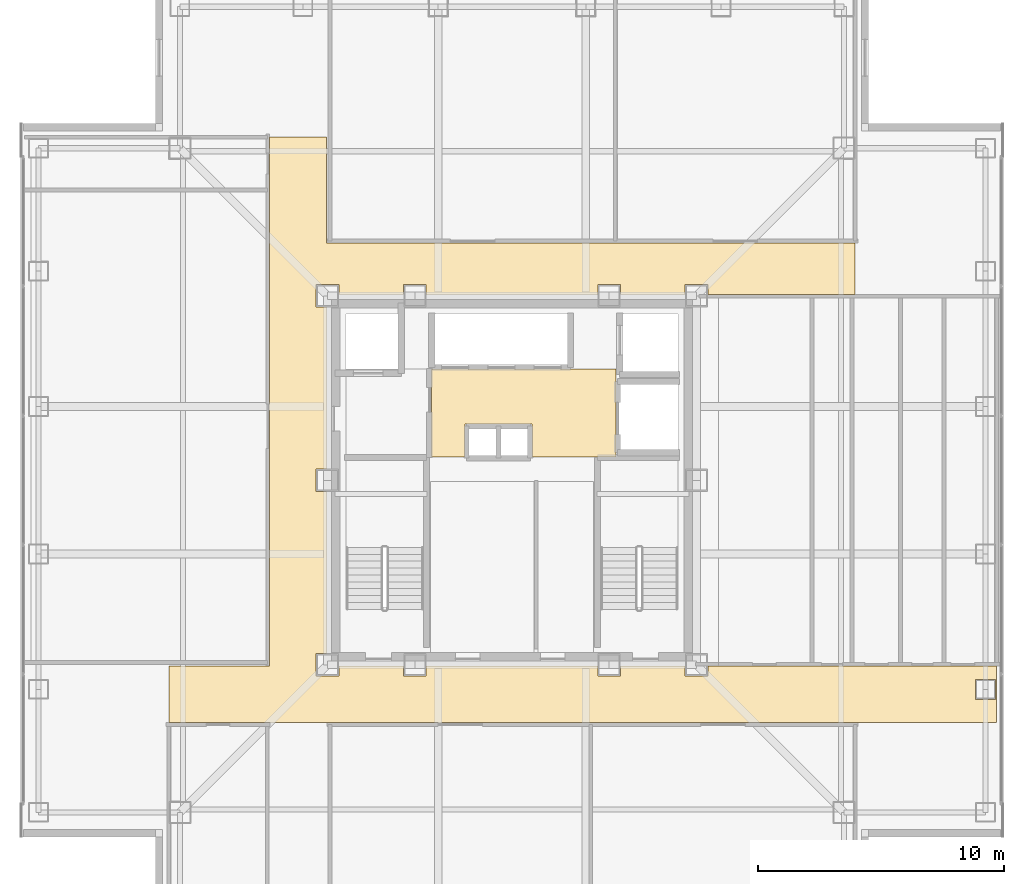
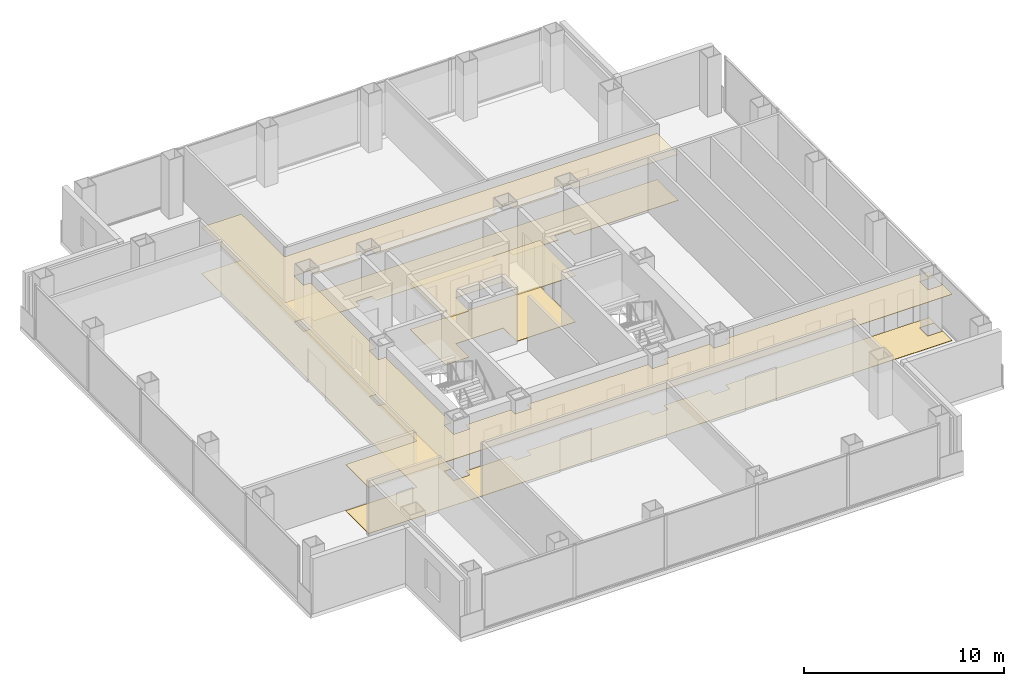
# One storey, part 16 of 18: 4 coverings.
"""IFC4 building model written with IfcOpenShell, lengths in metres."""

from ifc_helpers import new_model, si_unit, direction, frame, origin, place, context, subcontext, project, spatial, polyline, outline, extrude, material, layer, layer_set, type_object, element, save


model = new_model("IFC4")

# Units and contexts
model_context = context("Model", 3, precision=1e-05, world=origin(), true_north=direction((0.0, 1.0)))
body_context = subcontext(model_context, "Body", "Model", "MODEL_VIEW")
ifc_project = project(units=[si_unit("LENGTHUNIT", "METRE"), si_unit("AREAUNIT", "SQUARE_METRE"), si_unit("VOLUMEUNIT", "CUBIC_METRE"), si_unit("PLANEANGLEUNIT", "RADIAN"), si_unit("MASSUNIT", "GRAM", prefix="KILO")], contexts=[model_context])

# Site, building, storey
site_placement = place(None, origin())
site = spatial("IfcSite", under=ifc_project, at=site_placement, CompositionType="ELEMENT")
building_placement = place(site_placement, origin())
building = spatial("IfcBuilding", under=site, at=building_placement, Name="Trevonay Congress Spire", CompositionType="ELEMENT")
storey_placement = place(building_placement, frame((0.0, 0.0, 198.60009765625)))
storey = spatial("IfcBuildingStorey", under=building, at=storey_placement, Name="L51", CompositionType="ELEMENT", Elevation=198.60009765625)

# Coverings
ifc_material_1 = material(Name="Acoustic Mineral Fibre Board", Category="gypsum")
ifc_layer_1 = layer(ifc_material_1, 0.02490234375, Name="Acoustic Mineral Fibre Board")
ifc_layer_set_1 = layer_set([ifc_layer_1], Name="Acoustic Mineral Fibre Board")
covering_type_1 = type_object("IfcCoveringType", Name="COV-CEIL-ACOUSTIC", PredefinedType="CEILING", material=ifc_layer_set_1)
covering_1_placement = place(storey_placement, frame((0.0, 0.0, 2.809814453125)))
element("IfcCovering", 1, at=covering_1_placement, inside=storey, type_object=covering_type_1, Name="L51 Central and High-Rise Passenger Lift Lobby acoustic suspended ceiling", PredefinedType="CEILING", context=body_context, shape_type="SweptSolid", body=[
    extrude(outline(polyline([(-3.280029296875, 0.949951171875), (-1.919921875, 0.949951171875), (-1.919921875, 2.280029296875), (0.820068359375, 2.280029296875), (0.820068359375, 0.949951171875), (4.219970703125, 0.949951171875), (4.219970703125, 4.52001953125), (-3.280029296875, 4.52001953125), (-3.280029296875, 0.949951171875)])), origin(), (0.0, 0.0, 1.0), 0.025146484375),
])
covering_2_placement = place(storey_placement, frame((0.0, 0.0, 2.809814453125)))
element("IfcCovering", 2, at=covering_2_placement, inside=storey, type_object=covering_type_1, Name="L51 Cruciform Boulevard Corridor acoustic suspended ceiling", PredefinedType="CEILING", context=body_context, shape_type="SweptSolid", body=[
    extrude(outline(polyline([(19.699951171875, -7.550048828125), (19.699951171875, -9.85009765625), (-13.949951171875, -9.85009765625), (-13.949951171875, -7.550048828125), (-9.85009765625, -7.550048828125), (-9.85009765625, 13.949951171875), (-7.550048828125, 13.949951171875), (-7.550048828125, 9.64990234375), (13.949951171875, 9.64990234375), (13.949951171875, 7.550048828125), (7.9599609375, 7.550048828125), (7.9599609375, 7.9599609375), (7.0400390625, 7.9599609375), (7.0400390625, 7.550048828125), (4.409912109375, 7.550048828125), (4.409912109375, 7.9599609375), (3.489990234375, 7.9599609375), (3.489990234375, 7.550048828125), (-3.489990234375, 7.550048828125), (-3.489990234375, 7.9599609375), (-4.409912109375, 7.9599609375), (-4.409912109375, 7.550048828125), (-7.0400390625, 7.550048828125), (-7.0400390625, 7.9599609375), (-7.9599609375, 7.9599609375), (-7.9599609375, 7.0400390625), (-7.550048828125, 7.0400390625), (-7.550048828125, 0.4599609375), (-7.9599609375, 0.4599609375), (-7.9599609375, -0.4599609375), (-7.550048828125, -0.4599609375), (-7.550048828125, -7.0400390625), (-7.9599609375, -7.0400390625), (-7.9599609375, -7.9599609375), (-7.0400390625, -7.9599609375), (-7.0400390625, -7.550048828125), (-4.409912109375, -7.550048828125), (-4.409912109375, -7.9599609375), (-3.489990234375, -7.9599609375), (-3.489990234375, -7.550048828125), (3.489990234375, -7.550048828125), (3.489990234375, -7.9599609375), (4.409912109375, -7.9599609375), (4.409912109375, -7.550048828125), (7.0400390625, -7.550048828125), (7.0400390625, -7.9599609375), (7.9599609375, -7.9599609375), (7.9599609375, -7.550048828125), (19.699951171875, -7.550048828125)]), holes=[polyline([(19.659912109375, -8.090087890625), (18.840087890625, -8.090087890625), (18.840087890625, -8.909912109375), (19.659912109375, -8.909912109375), (19.659912109375, -8.090087890625)])]), origin(), (0.0, 0.0, 1.0), 0.025146484375),
])
ifc_material_2 = material(Name="Polished Granite Floor Tile", Category="masonry")
ifc_layer_2 = layer(ifc_material_2, 0.02001953125, Name="Polished Granite Floor Tile")
ifc_layer_set_2 = layer_set([ifc_layer_2], Name="Polished Granite Floor Tile")
covering_type_2 = type_object("IfcCoveringType", Name="COV-FLOOR-STONE", PredefinedType="FLOORING", material=ifc_layer_set_2)
covering_3_placement = place(storey_placement, origin())
element("IfcCovering", 3, at=covering_3_placement, inside=storey, type_object=covering_type_2, Name="L51 Central and High-Rise Passenger Lift Lobby floor finish", PredefinedType="FLOORING", context=body_context, shape_type="SweptSolid", body=[
    extrude(outline(polyline([(-3.280029296875, 0.949951171875), (-1.919921875, 0.949951171875), (-1.919921875, 2.280029296875), (0.820068359375, 2.280029296875), (0.820068359375, 0.949951171875), (4.219970703125, 0.949951171875), (4.219970703125, 4.52001953125), (-3.280029296875, 4.52001953125), (-3.280029296875, 0.949951171875)])), origin(), (0.0, 0.0, 1.0), 0.02001953125),
])
covering_4_placement = place(storey_placement, origin())
element("IfcCovering", 4, at=covering_4_placement, inside=storey, type_object=covering_type_2, Name="L51 Cruciform Boulevard Corridor floor finish", PredefinedType="FLOORING", context=body_context, shape_type="SweptSolid", body=[
    extrude(outline(polyline([(19.699951171875, -7.550048828125), (19.699951171875, -9.85009765625), (-13.949951171875, -9.85009765625), (-13.949951171875, -7.550048828125), (-9.85009765625, -7.550048828125), (-9.85009765625, 13.949951171875), (-7.550048828125, 13.949951171875), (-7.550048828125, 9.64990234375), (13.949951171875, 9.64990234375), (13.949951171875, 7.550048828125), (7.9599609375, 7.550048828125), (7.9599609375, 7.9599609375), (7.0400390625, 7.9599609375), (7.0400390625, 7.550048828125), (4.409912109375, 7.550048828125), (4.409912109375, 7.9599609375), (3.489990234375, 7.9599609375), (3.489990234375, 7.550048828125), (-3.489990234375, 7.550048828125), (-3.489990234375, 7.9599609375), (-4.409912109375, 7.9599609375), (-4.409912109375, 7.550048828125), (-7.0400390625, 7.550048828125), (-7.0400390625, 7.9599609375), (-7.9599609375, 7.9599609375), (-7.9599609375, 7.0400390625), (-7.550048828125, 7.0400390625), (-7.550048828125, 0.4599609375), (-7.9599609375, 0.4599609375), (-7.9599609375, -0.4599609375), (-7.550048828125, -0.4599609375), (-7.550048828125, -7.0400390625), (-7.9599609375, -7.0400390625), (-7.9599609375, -7.9599609375), (-7.0400390625, -7.9599609375), (-7.0400390625, -7.550048828125), (-4.409912109375, -7.550048828125), (-4.409912109375, -7.9599609375), (-3.489990234375, -7.9599609375), (-3.489990234375, -7.550048828125), (3.489990234375, -7.550048828125), (3.489990234375, -7.9599609375), (4.409912109375, -7.9599609375), (4.409912109375, -7.550048828125), (7.0400390625, -7.550048828125), (7.0400390625, -7.9599609375), (7.9599609375, -7.9599609375), (7.9599609375, -7.550048828125), (19.699951171875, -7.550048828125)]), holes=[polyline([(19.659912109375, -8.090087890625), (18.840087890625, -8.090087890625), (18.840087890625, -8.909912109375), (19.659912109375, -8.909912109375), (19.659912109375, -8.090087890625)])]), origin(), (0.0, 0.0, 1.0), 0.02001953125),
])

save(model, "model.ifc")
